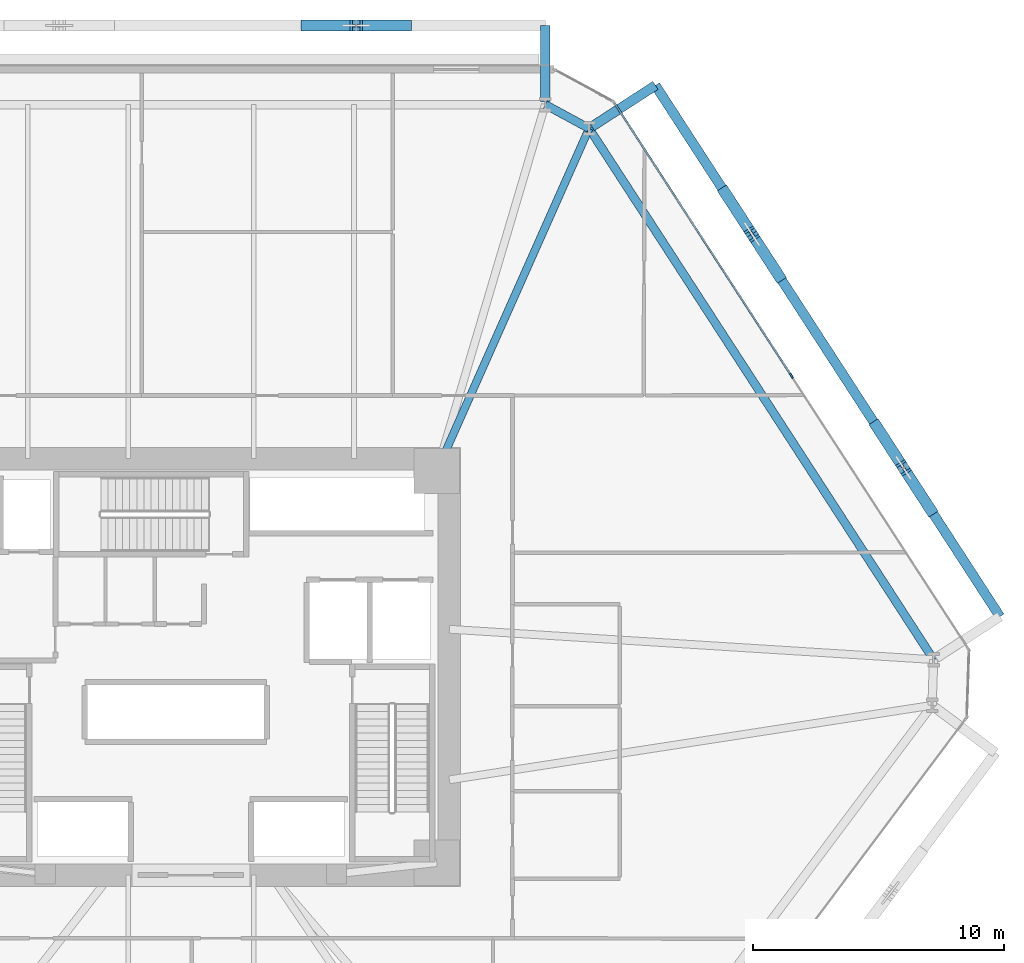
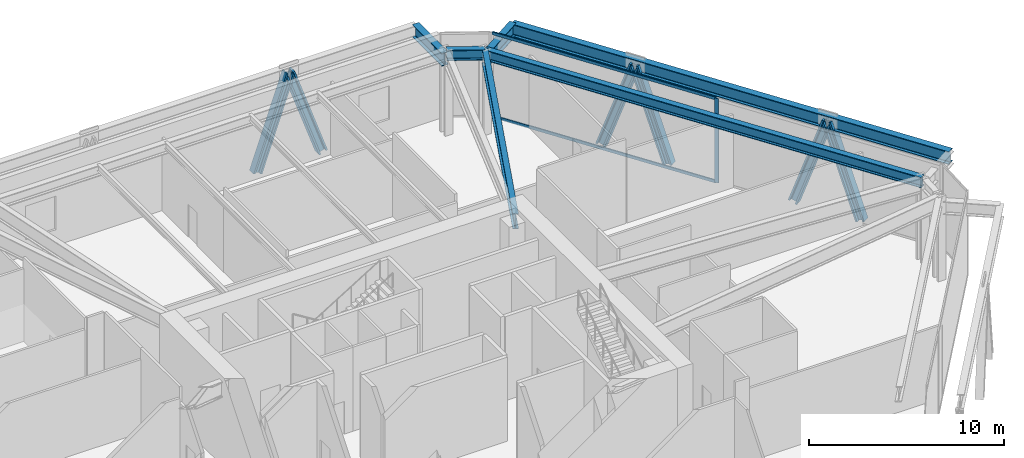
# One storey, part 10 of 23: 9 members, 6 beams, 1 element without a shape of its own.
"""IFC4 building model written with IfcOpenShell, lengths in metres."""

from ifc_helpers import new_model, si_unit, direction, frame, origin, origin_2d, place, context, subcontext, project, spatial, rectangle, i_section, extrude, source, transform, mapped, material, layer, layer_set, material_profile, profile_set, type_object, type_shapes, element, aggregate, save


model = new_model("IFC4")

# Units and contexts
model_context = context("Model", 3, precision=1e-05, world=origin(), true_north=direction((0.0, 1.0)))
body_context = subcontext(model_context, "Body", "Model", "MODEL_VIEW")
ifc_project = project(units=[si_unit("LENGTHUNIT", "METRE"), si_unit("AREAUNIT", "SQUARE_METRE"), si_unit("VOLUMEUNIT", "CUBIC_METRE"), si_unit("PLANEANGLEUNIT", "RADIAN"), si_unit("MASSUNIT", "GRAM", prefix="KILO")], contexts=[model_context])

# Site, building, storey
site_placement = place(None, origin())
site = spatial("IfcSite", under=ifc_project, at=site_placement, CompositionType="ELEMENT")
building_placement = place(site_placement, origin())
building = spatial("IfcBuilding", under=site, at=building_placement, Name="Durnholm Broadcast Tower", CompositionType="ELEMENT")
storey_placement = place(building_placement, frame((0.0, 0.0, 21.199951171875)))
storey = spatial("IfcBuildingStorey", under=building, at=storey_placement, Name="L04", CompositionType="ELEMENT", Elevation=21.199951171875)

# Beams
ifc_material_1 = material(Name="Steel ASTM A992 Grade 50", Category="steel")
ifc_material_profile_1 = material_profile(ifc_material_1, i_section(OverallWidth=0.3330078125, OverallDepth=0.660888671875, WebThickness=0.0244140625, FlangeThickness=0.0439453125, FilletRadius=0.02783203125, at=origin_2d()), Name="W24X229")
ifc_profile_set_1 = profile_set([ifc_material_profile_1], Name="Steel ASTM A992 Grade 50")
beam_type_1 = type_object("IfcBeamType", Name="STL-SP-W24X229", PredefinedType="SPANDREL", material=ifc_profile_set_1)
shared_shape_1 = source(origin(), body_context, "Body", "SweptSolid", [
    extrude(i_section(OverallWidth=0.3330078125, OverallDepth=0.660888671875, WebThickness=0.0244140625, FlangeThickness=0.0439453125, FilletRadius=0.02783203125, at=origin_2d()), origin(), (0.0, 0.0, 1.0), 25.22265625),
])
beam_1_placement = place(storey_placement, frame((15.866455078125, 21.45068359375, 4.9345703125), z_axis=(0.544117081794, -0.839009297505, 0.0), x_axis=(0.839009297505, 0.544117081794, 0.0)))
element("IfcBeam", 1, at=beam_1_placement, inside=storey, type_object=beam_type_1, Name="L04 perimeter spandrel girder 07", PredefinedType="SPANDREL", context=body_context, shape_type="MappedRepresentation", body=[
    mapped(shared_shape_1, transform((0.0, 0.0, 0.0), x_axis=(1.0, 0.0, 0.0), y_axis=(0.0, 1.0, 0.0), z_axis=(0.0, 0.0, 1.0), scale=1.0)),
])
shared_shape_2 = source(origin(), body_context, "Body", "SweptSolid", [
    extrude(i_section(OverallWidth=0.3330078125, OverallDepth=0.660888671875, WebThickness=0.0244140625, FlangeThickness=0.0439453125, FilletRadius=0.02783203125, at=origin_2d()), origin(), (0.0, 0.0, 1.0), 1.98828125),
])
type_shapes(beam_type_1, [shared_shape_1, shared_shape_2])
beam_2_placement = place(storey_placement, frame((14.119384765625, 22.39990234375, 4.9345703125), z_axis=(0.878682739647, -0.477406161508, 0.0), x_axis=(0.477406161508, 0.878682739647, 0.0)))
element("IfcBeam", 2, at=beam_2_placement, inside=storey, type_object=beam_type_1, Name="L04 perimeter spandrel girder 06", PredefinedType="SPANDREL", context=body_context, shape_type="MappedRepresentation", body=[
    mapped(shared_shape_2, transform((0.0, 0.0, 0.0), x_axis=(1.0, 0.0, 0.0), y_axis=(0.0, 1.0, 0.0), z_axis=(0.0, 0.0, 1.0), scale=1.0)),
])
ifc_material_profile_2 = material_profile(ifc_material_1, i_section(OverallWidth=0.385009765625, OverallDepth=0.802978515625, WebThickness=0.023681640625, FlangeThickness=0.0419921875, FilletRadius=0.032958984375, at=origin_2d()), Name="W30X261")
ifc_profile_set_2 = profile_set([ifc_material_profile_2], Name="Steel ASTM A992 Grade 50")
beam_type_2 = type_object("IfcBeamType", Name="BM-EXO-TIE", PredefinedType="USERDEFINED", material=ifc_profile_set_2)
shared_shape_3 = source(origin(), body_context, "Body", "SweptSolid", [
    extrude(i_section(OverallWidth=0.385009765625, OverallDepth=0.802978515625, WebThickness=0.023681640625, FlangeThickness=0.0419921875, FilletRadius=0.032958984375, at=origin_2d()), origin(), (0.0, 0.0, 1.0), 3.024169921875),
])
for number, where, z_axis, x_axis, name in (
    (3, (15.97216796875, 21.519287109375, 4.528564453125), (0.839049936056, 0.544054413459, 0.0), (-0.544054413459, 0.839049936056, 0.0), "L04 exoskeleton stand-off tie bracket F3.2"),
    (4, (14.119384765625, 22.52587890625, 4.528564453125), (0.0, 1.0, 0.0), (-1.0, 0.0, 0.0), "L04 exoskeleton stand-off tie bracket F4.1"),
):
    element("IfcBeam", number, at=place(storey_placement, frame(where, z_axis=z_axis, x_axis=x_axis)), inside=storey, type_object=beam_type_2, Name=name, ObjectType="GIRDER", PredefinedType="USERDEFINED", context=body_context, shape_type="MappedRepresentation", body=[
        mapped(shared_shape_3, transform((0.0, 0.0, 0.0), x_axis=(1.0, 0.0, 0.0), y_axis=(0.0, 1.0, 0.0), z_axis=(0.0, 0.0, 1.0), scale=1.0)),
    ])
shared_shape_4 = source(origin(), body_context, "Body", "SweptSolid", [
    extrude(i_section(OverallWidth=0.385009765625, OverallDepth=0.802978515625, WebThickness=0.023681640625, FlangeThickness=0.0419921875, FilletRadius=0.032958984375, at=origin_2d()), origin(), (0.0, 0.0, 1.0), 25.222412109375),
])
type_shapes(beam_type_2, [shared_shape_3, shared_shape_4])
beam_3_placement = place(storey_placement, frame((32.2333984375, 2.002685546875, 4.528564453125), z_axis=(-0.544114686912, 0.839010850637, 0.0), x_axis=(-0.839010850637, -0.544114686912, 0.0)))
element("IfcBeam", 5, at=beam_3_placement, inside=storey, type_object=beam_type_2, Name="L04 exoskeleton collector spandrel F3", PredefinedType="SPANDREL", context=body_context, shape_type="MappedRepresentation", body=[
    mapped(shared_shape_4, transform((0.0, 0.0, 0.0), x_axis=(1.0, 0.0, 0.0), y_axis=(0.0, 1.0, 0.0), z_axis=(0.0, 0.0, 1.0), scale=1.0)),
])
ifc_material_profile_3 = material_profile(ifc_material_1, i_section(OverallWidth=0.310302734375, OverallDepth=0.950439453125, WebThickness=0.0244140625, FlangeThickness=0.0439453125, FilletRadius=0.0380859375, at=origin_2d()), Name="W36X256")
ifc_profile_set_3 = profile_set([ifc_material_profile_3], Name="Steel ASTM A992 Grade 50")
beam_type_3 = type_object("IfcBeamType", Name="STL-GR-W36X256", PredefinedType="USERDEFINED", material=ifc_profile_set_3)
shared_shape_5 = source(origin(), body_context, "Body", "SweptSolid", [
    extrude(i_section(OverallWidth=0.310302734375, OverallDepth=0.950439453125, WebThickness=0.0244140625, FlangeThickness=0.0439453125, FilletRadius=0.0380859375, at=origin_2d()), origin(), (0.0, 0.0, 1.0), 14.93798828125),
])
type_shapes(beam_type_3, [shared_shape_5])
beam_4_placement = place(storey_placement, frame((9.800048828125, 7.800048828125, 4.789794921875), z_axis=(0.406108137323, 0.913825027453, 0.0), x_axis=(-0.913825027453, 0.406108137323, 0.0)))
element("IfcBeam", 6, at=beam_4_placement, inside=storey, type_object=beam_type_3, Name="L04 radial primary floor girder 07", ObjectType="GIRDER", PredefinedType="USERDEFINED", context=body_context, shape_type="MappedRepresentation", body=[
    mapped(shared_shape_5, transform((0.0, 0.0, 0.0), x_axis=(1.0, 0.0, 0.0), y_axis=(0.0, 1.0, 0.0), z_axis=(0.0, 0.0, 1.0), scale=1.0)),
])

# Members
ifc_material_2 = material(Name="Steel ASTM A913 Grade 65", Category="steel")
ifc_material_profile_4 = material_profile(ifc_material_2, i_section(OverallWidth=0.44189453125, OverallDepth=0.531494140625, WebThickness=0.06591796875, FlangeThickness=0.105712890625, FilletRadius=0.030517578125, at=origin_2d()), Name="W14X605")
ifc_profile_set_4 = profile_set([ifc_material_profile_4], Name="Steel ASTM A913 Grade 65")
member_type_1 = type_object("IfcMemberType", Name="STL-DG-W14X605", PredefinedType="BRACE", material=ifc_profile_set_4)
shared_shape_6 = source(origin(), body_context, "Body", "SweptSolid", [
    extrude(i_section(OverallWidth=0.44189453125, OverallDepth=0.531494140625, WebThickness=0.06591796875, FlangeThickness=0.105712890625, FilletRadius=0.030517578125, at=origin_2d()), origin(), (0.0, 0.0, 1.0), 5.927978515625),
])
type_shapes(member_type_1, [shared_shape_6])
for number, where, z_axis, x_axis, name in (
    (7, (29.448486328125, 6.296630859375, -1.071533203125), (-0.178450941475, 0.27519252041, 0.944682136063), (-0.839034101522, -0.544078832968, 0.0), "L04 stand-off diagrid brace F3.D1.1"),
    (8, (27.332763671875, 9.55908203125, -1.071533203125), (0.178452963845, -0.275154454523, 0.944692842066), (0.838996925284, 0.544136158847, 0.0), "L04 stand-off diagrid brace F3.D1.2"),
    (9, (23.409912109375, 15.60791015625, -1.071533203125), (-0.178450941475, 0.27519252041, 0.944682136063), (-0.839034101522, -0.544078832968, 0.0), "L04 stand-off diagrid brace F3.D2.1"),
    (10, (21.294189453125, 18.870361328125, -1.071533203125), (0.178452963845, -0.275154454523, 0.944692842066), (0.838996925284, 0.544136158847, 0.0), "L04 stand-off diagrid brace F3.D2.2"),
    (11, (8.533935546875, 25.550048828125, -1.071533203125), (-0.327953495245, 0.0, 0.944693868381), (0.0, -1.0, 0.0), "L04 stand-off diagrid brace F4.D1.1"),
    (12, (4.6455078125, 25.550048828125, -1.071533203125), (0.327990249611, 0.0, 0.944681108184), (0.0, 1.0, 0.0), "L04 stand-off diagrid brace F4.D1.2"),
):
    element("IfcMember", number, at=place(storey_placement, frame(where, z_axis=z_axis, x_axis=x_axis)), inside=storey, type_object=member_type_1, Name=name, PredefinedType="BRACE", context=body_context, shape_type="MappedRepresentation", body=[
        mapped(shared_shape_6, transform((0.0, 0.0, 0.0), x_axis=(1.0, 0.0, 0.0), y_axis=(0.0, 1.0, 0.0), z_axis=(0.0, 0.0, 1.0), scale=1.0)),
    ])

# Curtain wall, members
ifc_material_3 = material(Name="Aluminium and Solar Control IGU", Category="aluminium")
ifc_layer = layer(ifc_material_3, 0.219970703125)
ifc_layer_set = layer_set([ifc_layer], Name="Aluminium and Solar Control IGU")
curtain_wall_type = type_object("IfcCurtainWallType", Name="CW-SYS-2", PredefinedType="NOTDEFINED", material=ifc_layer_set)
curtain_wall_placement = place(storey_placement, origin())
curtain_wall = element("IfcCurtainWall", 13, at=curtain_wall_placement, inside=storey, type_object=curtain_wall_type, Name="L04 curtain wall CW-STUDIO CW-L04-F06", PredefinedType="NOTDEFINED")
ifc_material_4 = material(Name="Aluminium 6063-T6", Category="aluminium")
ifc_material_profile_5 = material_profile(ifc_material_4, rectangle(XDim=0.074951171875, YDim=0.179931640625, at=origin_2d()), Name="CWT75X180")
ifc_profile_set_5 = profile_set([ifc_material_profile_5], Name="Aluminium 6063-T6")
member_type_2 = type_object("IfcMemberType", Name="CW-SYS-2-TRN", PredefinedType="USERDEFINED", material=ifc_profile_set_5)
shared_shape_7 = source(origin(), body_context, "Body", "SweptSolid", [
    extrude(rectangle(XDim=0.074951171875, YDim=0.179931640625, at=origin_2d()), origin(), (0.0, 0.0, 1.0), 12.896728515625),
])
type_shapes(member_type_2, [shared_shape_7])
member_1_placement = place(storey_placement, frame((16.888427734375, 22.447998046875, 0.03759765625), z_axis=(0.544101072489, -0.839019679695, 0.0), x_axis=(0.839019679695, 0.544101072489, 0.0)))
member_1 = element("IfcMember", 14, at=member_1_placement, type_object=member_type_2, Name="CW-STUDIO transom 1.1", ObjectType="TRANSOM", PredefinedType="USERDEFINED", context=body_context, shape_type="MappedRepresentation", body=[
    mapped(shared_shape_7, transform((0.0, 0.0, 0.0), x_axis=(1.0, 0.0, 0.0), y_axis=(0.0, 1.0, 0.0), z_axis=(0.0, 0.0, 1.0), scale=1.0)),
])
member_2_placement = place(storey_placement, frame((16.888427734375, 22.447998046875, 5.242431640625), z_axis=(0.544101072489, -0.839019679695, 0.0), x_axis=(0.839019679695, 0.544101072489, 0.0)))
member_2 = element("IfcMember", 15, at=member_2_placement, type_object=member_type_2, Name="CW-STUDIO transom 1.2", ObjectType="TRANSOM", PredefinedType="USERDEFINED", context=body_context, shape_type="MappedRepresentation", body=[
    mapped(shared_shape_7, transform((0.0, 0.0, 0.0), x_axis=(1.0, 0.0, 0.0), y_axis=(0.0, 1.0, 0.0), z_axis=(0.0, 0.0, 1.0), scale=1.0)),
])
ifc_material_profile_6 = material_profile(ifc_material_4, rectangle(XDim=0.074951171875, YDim=0.219970703125, at=origin_2d()), Name="CWM75X220")
ifc_profile_set_6 = profile_set([ifc_material_profile_6], Name="Aluminium 6063-T6")
member_type_3 = type_object("IfcMemberType", Name="CW-SYS-2-MUL", PredefinedType="MULLION", material=ifc_profile_set_6)
shared_shape_8 = source(origin(), body_context, "Body", "SweptSolid", [
    extrude(rectangle(XDim=0.074951171875, YDim=0.219970703125, at=origin_2d()), origin(), (0.0, 0.0, 1.0), 5.280029296875),
])
type_shapes(member_type_3, [shared_shape_8])
member_3_placement = place(storey_placement, frame((23.926025390625, 11.59619140625, 0.0), z_axis=(0.0, 0.0, 1.0), x_axis=(0.839009373297, 0.544116964926, 0.0)))
member_3 = element("IfcMember", 16, at=member_3_placement, type_object=member_type_3, Name="CW-STUDIO mullion 2", PredefinedType="MULLION", context=body_context, shape_type="MappedRepresentation", body=[
    mapped(shared_shape_8, transform((0.0, 0.0, 0.0), x_axis=(1.0, 0.0, 0.0), y_axis=(0.0, 1.0, 0.0), z_axis=(0.0, 0.0, 1.0), scale=1.0)),
])
aggregate(curtain_wall, [member_3, member_1, member_2])

save(model, "model.ifc")
